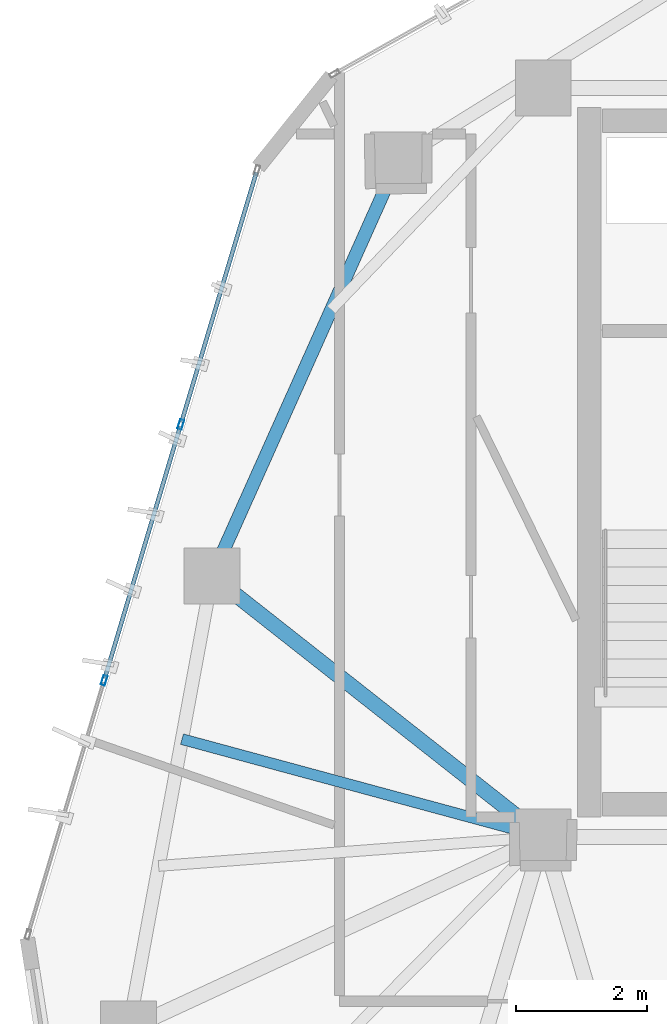
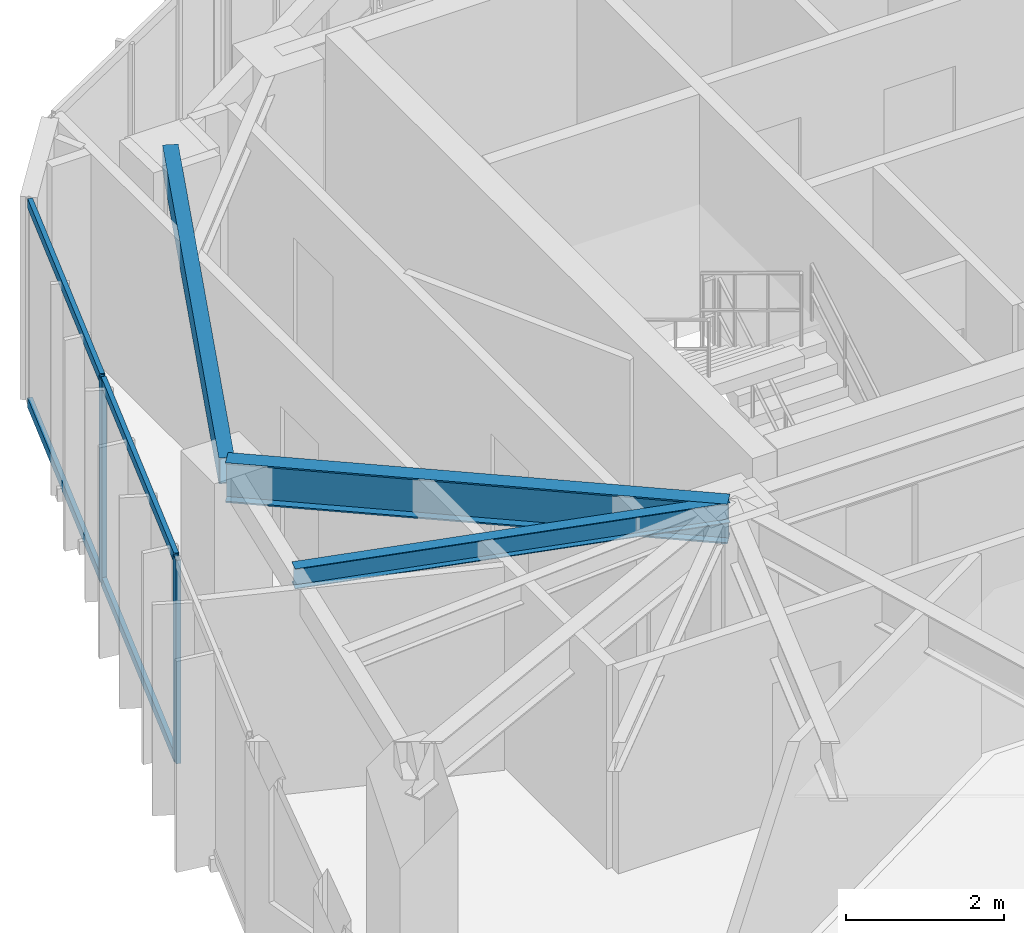
# One storey, part 8 of 20: 6 members, 3 beams, 1 element without a shape of its own.
"""IFC4 building model written with IfcOpenShell, lengths in metres."""

import ifcopenshell
import ifcopenshell.guid

model = None  # the IFC model being written
_history = None  # IfcOwnerHistory: only IFC2X3 demands one
_inside = {}  # id of a spatial element -> (the spatial element, [elements in it])
_under = {}  # id of a project, library or spatial element -> (it, [spatial elements below it])
_declared = {}  # id of a project -> (the project, [libraries it declares])
_typed = {}  # id of a type object -> (the type object, [elements of that type])
_made_of = {}  # id of a material, layer set ... -> (it, [elements and type objects made of it])


def new_model(schema):
    """Start an empty IFC model of exactly this schema.

    Asked for "IFC4X3", IfcOpenShell would pick the latest addendum, in which some entities
    have other attributes; the version numbers below select the first issue.
    IFC2X3 requires an IfcOwnerHistory on every rooted entity: one is made here for all.
    """
    global model, _history
    if schema == "IFC4X3":
        model = ifcopenshell.file(schema_version=(4, 3, 0, 0))
    else:
        model = ifcopenshell.file(schema=schema)
    _inside.clear()
    _under.clear()
    _declared.clear()
    _typed.clear()
    _made_of.clear()
    _history = None
    if model.schema == "IFC2X3":
        org = make("IfcOrganization", Name="unknown")
        user = make(
            "IfcPersonAndOrganization",
            ThePerson=make("IfcPerson", FamilyName="unknown"),
            TheOrganization=org,
        )
        app = make(
            "IfcApplication",
            ApplicationDeveloper=org,
            Version="unknown",
            ApplicationFullName="unknown",
            ApplicationIdentifier="unknown",
        )
        _history = make(
            "IfcOwnerHistory",
            OwningUser=user,
            OwningApplication=app,
            ChangeAction="ADDED",
            CreationDate=0,
        )
    return model


def make(cls, **values):
    """One entity of the class cls with the attributes given. An attribute that is None is left unset."""
    return model.create_entity(
        cls, **{name: value for name, value in values.items() if value is not None}
    )


def rooted(cls, **values):
    """An entity with a GlobalId (a new one), such as an element, a storey or a relation."""
    return make(cls, GlobalId=ifcopenshell.guid.new(), OwnerHistory=_history, **values)


def si_unit(unit_type, name, prefix=None):
    """IfcSIUnit, for example si_unit("LENGTHUNIT", "METRE", prefix="MILLI")."""
    return make("IfcSIUnit", UnitType=unit_type, Prefix=prefix, Name=name)


def assignment(units):
    """IfcUnitAssignment: the units of a project."""
    return None if units is None else make("IfcUnitAssignment", Units=units)


def point(xyz):
    """IfcCartesianPoint."""
    return None if xyz is None else make("IfcCartesianPoint", Coordinates=xyz)


def direction(xyz):
    """IfcDirection."""
    return None if xyz is None else make("IfcDirection", DirectionRatios=xyz)


def frame(location, z_axis=None, x_axis=None):
    """IfcAxis2Placement3D, a coordinate frame: its origin and axes. An axis left out is left unset."""
    return make(
        "IfcAxis2Placement3D",
        Location=point(location),
        Axis=direction(z_axis),
        RefDirection=direction(x_axis),
    )


def frame_2d(location, x_axis=None):
    """IfcAxis2Placement2D, a coordinate frame in the plane: its origin and x axis."""
    return make(
        "IfcAxis2Placement2D", Location=point(location), RefDirection=direction(x_axis)
    )


def origin():
    """The frame at (0, 0, 0) with its axes left unset."""
    return frame((0.0, 0.0, 0.0))


def origin_2d():
    """The frame at (0, 0) in the plane with its x axis left unset."""
    return frame_2d((0.0, 0.0))


def place(relative_to, where):
    """IfcLocalPlacement: puts the frame where relative to a parent placement (None: the world)."""
    return make(
        "IfcLocalPlacement", PlacementRelTo=relative_to, RelativePlacement=where
    )


def context(
    kind, dimensions, precision=None, world=None, true_north=None, identifier=None
):
    """IfcGeometricRepresentationContext, for example the 3D "Model" context."""
    return make(
        "IfcGeometricRepresentationContext",
        ContextIdentifier=identifier,
        ContextType=kind,
        CoordinateSpaceDimension=dimensions,
        Precision=precision,
        WorldCoordinateSystem=world,
        TrueNorth=true_north,
    )


def subcontext(parent, identifier, kind, view, scale=None):
    """IfcGeometricRepresentationSubContext, for example "Body" below "Model"."""
    return make(
        "IfcGeometricRepresentationSubContext",
        ContextIdentifier=identifier,
        ContextType=kind,
        ParentContext=parent,
        TargetScale=scale,
        TargetView=view,
    )


def project(units=None, contexts=None):
    """IfcProject with its units and contexts."""
    return rooted(
        "IfcProject",
        Name="project",
        RepresentationContexts=contexts,
        UnitsInContext=assignment(units),
    )


def spatial(cls, under=None, at=None, **own):
    """A site, building, storey or space (cls), placed at a placement, below another one or the project."""
    s = rooted(cls, ObjectPlacement=at, **own)
    if under is not None:
        _under.setdefault(under.id(), (under, []))[1].append(s)
    return s


def profile(cls, at=None, kind="AREA", **sizes):
    """A parametric profile (cls). Its sizes go by their IFC names, for example OverallWidth=200.0."""
    return make(cls, ProfileType=kind, Position=at, **sizes)


def hollow_rectangle(**sizes):
    """IfcRectangleHollowProfileDef."""
    return profile("IfcRectangleHollowProfileDef", **sizes)


def i_section(**sizes):
    """IfcIShapeProfileDef."""
    return profile("IfcIShapeProfileDef", **sizes)


def extrude(swept, where, along, depth):
    """IfcExtrudedAreaSolid: the profile swept, set in the frame where, extruded along a direction by depth."""
    return make(
        "IfcExtrudedAreaSolid",
        SweptArea=swept,
        Position=where,
        ExtrudedDirection=direction(along),
        Depth=depth,
    )


def shape(context_of_items, identifier, shape_type, items):
    """IfcShapeRepresentation: the items that make up one representation, for example the "Body"."""
    return make(
        "IfcShapeRepresentation",
        ContextOfItems=context_of_items,
        RepresentationIdentifier=identifier,
        RepresentationType=shape_type,
        Items=items,
    )


def source(mapping_origin, context_of_items, identifier, shape_type, items):
    """IfcRepresentationMap: a shape defined once, which mapped items show again and again."""
    return make(
        "IfcRepresentationMap",
        MappingOrigin=mapping_origin,
        MappedRepresentation=shape(context_of_items, identifier, shape_type, items),
    )


def transform(
    local_origin,
    x_axis=None,
    y_axis=None,
    z_axis=None,
    scale=None,
    scale2=None,
    scale3=None,
    uniform=True,
):
    """IfcCartesianTransformationOperator3D, or its non-uniform kind. x_axis, y_axis, z_axis: its Axis1, 2, 3."""
    if uniform:
        return make(
            "IfcCartesianTransformationOperator3D",
            Axis1=direction(x_axis),
            Axis2=direction(y_axis),
            LocalOrigin=point(local_origin),
            Scale=scale,
            Axis3=direction(z_axis),
        )
    return make(
        "IfcCartesianTransformationOperator3DnonUniform",
        Axis1=direction(x_axis),
        Axis2=direction(y_axis),
        LocalOrigin=point(local_origin),
        Scale=scale,
        Axis3=direction(z_axis),
        Scale2=scale2,
        Scale3=scale3,
    )


def mapped(mapping_source, mapping_target):
    """IfcMappedItem: shows the shape of a source again, moved by a transform."""
    return make(
        "IfcMappedItem", MappingSource=mapping_source, MappingTarget=mapping_target
    )


def material(Name=None, Category=None):
    """IfcMaterial."""
    return make("IfcMaterial", Name=Name, Category=Category)


def layer(
    of_material, thickness, ventilated=None, Name=None, Category=None, Priority=None
):
    """IfcMaterialLayer: one layer of a wall or slab, of a material (None: an air gap)."""
    return make(
        "IfcMaterialLayer",
        Material=of_material,
        LayerThickness=thickness,
        IsVentilated=ventilated,
        Name=Name,
        Category=Category,
        Priority=Priority,
    )


def layer_set(layers, Name=None):
    """IfcMaterialLayerSet."""
    return make("IfcMaterialLayerSet", MaterialLayers=layers, LayerSetName=Name)


def material_profile(
    of_material, cross_section, Name=None, Category=None, Priority=None
):
    """IfcMaterialProfile: a cross section and its material."""
    return make(
        "IfcMaterialProfile",
        Name=Name,
        Material=of_material,
        Profile=cross_section,
        Priority=Priority,
        Category=Category,
    )


def profile_set(profiles, Name=None, composite=None):
    """IfcMaterialProfileSet."""
    return make(
        "IfcMaterialProfileSet",
        Name=Name,
        MaterialProfiles=profiles,
        CompositeProfile=composite,
    )


def made_of(thing, what):
    """Note that an element or type object is made of a material, layer set ...; save() writes the relation."""
    if what is not None:
        _made_of.setdefault(what.id(), (what, []))[1].append(thing)
    return thing


def type_object(cls, material=None, **own):
    """A type object (cls), such as IfcWallType, which elements share."""
    return made_of(rooted(cls, **own), material)


def type_shapes(of_type, sources):
    """Give a type object the sources (RepresentationMaps) that its elements show as mapped items."""
    of_type.RepresentationMaps = sources


def element(
    cls,
    number,
    at=None,
    inside=None,
    cuts=None,
    type_object=None,
    material=None,
    context=None,
    identifier="Body",
    shape_type=None,
    held_by="IfcProductDefinitionShape",
    body=None,
    shapes=None,
    **own,
):
    """One element of the class cls, such as IfcWall. Its Tag is "e" and its number.

    at: its placement. inside: the storey or other place that contains it. cuts: it is an
    opening in that element (IfcRelVoidsElement). A single representation is given by context,
    identifier, shape_type and body (its items); several are given by shapes. held_by: the class
    of the entity that holds the representations. save() writes the other relations.
    """
    e = rooted(cls, Tag="e%d" % number, ObjectPlacement=at, **own)
    if body is not None:
        shapes = [shape(context, identifier, shape_type, body)]
    if shapes is not None:
        e.Representation = make(held_by, Representations=shapes)
    if inside is not None:
        _inside.setdefault(inside.id(), (inside, []))[1].append(e)
    if cuts is not None:
        rooted(
            "IfcRelVoidsElement", RelatingBuildingElement=cuts, RelatedOpeningElement=e
        )
    if type_object is not None:
        _typed.setdefault(type_object.id(), (type_object, []))[1].append(e)
    return made_of(e, material)


def aggregate(whole, parts):
    """IfcRelAggregates: a whole, such as a stair, and the parts it consists of."""
    return rooted("IfcRelAggregates", RelatingObject=whole, RelatedObjects=parts)


def save(model, path):
    """Write the relations noted so far, then the file.

    IfcRelAggregates (storeys below a building ...), IfcRelContainedInSpatialStructure (elements
    in a storey), IfcRelDefinesByType, IfcRelAssociatesMaterial and IfcRelDeclares: one each for
    every whole, place, type object, material and project.
    """
    for whole, parts in _under.values():
        aggregate(whole, parts)
    for where, things in _inside.values():
        rooted(
            "IfcRelContainedInSpatialStructure",
            RelatedElements=things,
            RelatingStructure=where,
        )
    for kind, things in _typed.values():
        rooted("IfcRelDefinesByType", RelatedObjects=things, RelatingType=kind)
    for what, things in _made_of.values():
        rooted("IfcRelAssociatesMaterial", RelatedObjects=things, RelatingMaterial=what)
    for by, libraries in _declared.values():
        rooted("IfcRelDeclares", RelatingContext=by, RelatedDefinitions=libraries)
    model.write(path)


model = new_model("IFC4")

# Units and contexts
model_context = context("Model", 3, precision=1e-05, world=origin(), true_north=direction((0.0, 1.0)))
body_context = subcontext(model_context, "Body", "Model", "MODEL_VIEW")
ifc_project = project(units=[si_unit("LENGTHUNIT", "METRE"), si_unit("AREAUNIT", "SQUARE_METRE"), si_unit("VOLUMEUNIT", "CUBIC_METRE"), si_unit("PLANEANGLEUNIT", "RADIAN"), si_unit("MASSUNIT", "GRAM", prefix="KILO")], contexts=[model_context])

# Site, building, storey
site_placement = place(None, origin())
site = spatial("IfcSite", under=ifc_project, at=site_placement, CompositionType="ELEMENT")
building_placement = place(site_placement, origin())
building = spatial("IfcBuilding", under=site, at=building_placement, Name="Talar Marvaseh", CompositionType="ELEMENT")
storey_placement = place(building_placement, frame((0.0, 0.0, 257.800048828125)))
storey = spatial("IfcBuildingStorey", under=building, at=storey_placement, Name="L68", CompositionType="ELEMENT", Elevation=257.800048828125)

# Beams
ifc_material_1 = material(Name="Steel S355", Category="steel")
ifc_material_profile_1 = material_profile(ifc_material_1, hollow_rectangle(XDim=0.199951171875, YDim=0.39990234375, WallThickness=0.013916015625, at=origin_2d()), Name="RHS400x200x14")
ifc_profile_set_1 = profile_set([ifc_material_profile_1], Name="Steel S355")
beam_type_1 = type_object("IfcBeamType", Name="Zone 3 Perimeter Spandrel Beam RHS400x200x14", PredefinedType="SPANDREL", material=ifc_profile_set_1)
beam_1_placement = place(storey_placement, frame((13.657958984375, 29.469970703125, 2.93994140625), z_axis=(0.408486346803, 0.912764429892, 0.0), x_axis=(-0.912764429892, 0.408486346803, 0.0)))
element("IfcBeam", 1, at=beam_1_placement, inside=storey, type_object=beam_type_1, Name="L68 Zone 3 Perimeter Spandrel Beam RHS400x200x14", PredefinedType="SPANDREL", context=body_context, shape_type="SweptSolid", body=[
    extrude(hollow_rectangle(XDim=0.199951171875, YDim=0.39990234375, WallThickness=0.013916015625, at=origin_2d()), origin(), (0.0, 0.0, 1.0), 6.942626953125),
])
ifc_material_profile_2 = material_profile(ifc_material_1, i_section(OverallWidth=0.166015625, OverallDepth=0.31298828125, WebThickness=0.006591796875, FlangeThickness=0.01123046875, at=origin_2d()), Name="W310x45")
ifc_profile_set_2 = profile_set([ifc_material_profile_2], Name="Steel S355")
beam_type_2 = type_object("IfcBeamType", Name="Zone 3 Secondary Floor Joist W310x45", PredefinedType="JOIST", material=ifc_profile_set_2)
beam_2_placement = place(storey_placement, frame((13.201171875, 26.988525390625, 2.9833984375), z_axis=(0.965258580671, -0.26129652206, 0.0), x_axis=(0.26129652206, 0.965258580671, 0.0)))
element("IfcBeam", 2, at=beam_2_placement, inside=storey, type_object=beam_type_2, Name="L68 Zone 3 Secondary Floor Joist W310x45", PredefinedType="JOIST", context=body_context, shape_type="SweptSolid", body=[
    extrude(i_section(OverallWidth=0.166015625, OverallDepth=0.31298828125, WebThickness=0.006591796875, FlangeThickness=0.01123046875, at=origin_2d()), origin(), (0.0, 0.0, 1.0), 5.69677734375),
])
ifc_material_profile_3 = material_profile(ifc_material_1, i_section(OverallWidth=0.22998046875, OverallDepth=0.616943359375, WebThickness=0.01318359375, FlangeThickness=0.022216796875, at=origin_2d()), Name="W610x140")
ifc_profile_set_3 = profile_set([ifc_material_profile_3], Name="Steel S355")
beam_type_3 = type_object("IfcBeamType", Name="Zone 4 Radial Floor Girder W610x140", PredefinedType="BEAM", material=ifc_profile_set_3)
beam_3_placement = place(storey_placement, frame((13.657958984375, 29.469970703125, 2.83154296875), z_axis=(0.785681617372, -0.618631066245, 0.0), x_axis=(0.618631066245, 0.785681617372, 0.0)))
element("IfcBeam", 3, at=beam_3_placement, inside=storey, type_object=beam_type_3, Name="L68 Zone 4 Radial Floor Girder W610x140", PredefinedType="BEAM", context=body_context, shape_type="SweptSolid", body=[
    extrude(i_section(OverallWidth=0.22998046875, OverallDepth=0.616943359375, WebThickness=0.01318359375, FlangeThickness=0.022216796875, at=origin_2d()), origin(), (0.0, 0.0, 1.0), 6.417236328125),
])

# Curtain wall, members
ifc_material_2 = material(Name="Architectural Aluminium", Category="aluminium")
ifc_layer = layer(ifc_material_2, 0.179931640625)
ifc_layer_set = layer_set([ifc_layer], Name="Architectural Aluminium")
curtain_wall_type = type_object("IfcCurtainWallType", Name="Unitised High-Wind Sky Curtain Wall Z4", PredefinedType="NOTDEFINED", material=ifc_layer_set)
curtain_wall_placement = place(storey_placement, origin())
curtain_wall = element("IfcCurtainWall", 4, at=curtain_wall_placement, inside=storey, type_object=curtain_wall_type, Name="L68 Unitised High-Wind Sky Curtain Wall Z4", PredefinedType="NOTDEFINED")
ifc_material_profile_4 = material_profile(ifc_material_2, hollow_rectangle(XDim=0.06494140625, YDim=0.14990234375, WallThickness=0.00390625, at=origin_2d()), Name="RHS150x65x4")
ifc_profile_set_4 = profile_set([ifc_material_profile_4], Name="Architectural Aluminium")
member_type_1 = type_object("IfcMemberType", Name="Unitised Curtain Wall Slim Mullion RHS150x65x4", PredefinedType="MULLION", material=ifc_profile_set_4)
shared_shape_1 = source(origin(), body_context, "Body", "SweptSolid", [
    extrude(hollow_rectangle(XDim=0.06494140625, YDim=0.14990234375, WallThickness=0.00390625, at=origin_2d()), origin(), (0.0, 0.0, 1.0), 3.139892578125),
])
type_shapes(member_type_1, [shared_shape_1])
member_1_placement = place(storey_placement, frame((12.016357421875, 27.8828125, 0.0), z_axis=(0.0, 0.0, 1.0), x_axis=(-0.957911702193, 0.287063008418, 0.0)))
member_1 = element("IfcMember", 5, at=member_1_placement, type_object=member_type_1, Name="CW-Z4 mullion 2", PredefinedType="MULLION", context=body_context, shape_type="MappedRepresentation", body=[
    mapped(shared_shape_1, transform((0.0, 0.0, 0.0), x_axis=(1.0, 0.0, 0.0), y_axis=(0.0, 1.0, 0.0), z_axis=(0.0, 0.0, 1.0), scale=1.0)),
])
member_2_placement = place(storey_placement, frame((13.184326171875, 31.7802734375, 0.0), z_axis=(0.0, 0.0, 1.0), x_axis=(-0.957911702193, 0.287063008418, 0.0)))
member_2 = element("IfcMember", 6, at=member_2_placement, type_object=member_type_1, Name="CW-Z4 mullion 3", PredefinedType="MULLION", context=body_context, shape_type="MappedRepresentation", body=[
    mapped(shared_shape_1, transform((0.0, 0.0, 0.0), x_axis=(1.0, 0.0, 0.0), y_axis=(0.0, 1.0, 0.0), z_axis=(0.0, 0.0, 1.0), scale=1.0)),
])
ifc_material_profile_5 = material_profile(ifc_material_2, hollow_rectangle(XDim=0.06494140625, YDim=0.14990234375, WallThickness=0.00390625, at=origin_2d()), Name="RHS150x65x4")
ifc_profile_set_5 = profile_set([ifc_material_profile_5], Name="Architectural Aluminium")
member_type_2 = type_object("IfcMemberType", Name="Unitised Curtain Wall Slim Transom RHS150x65x4", PredefinedType="USERDEFINED", material=ifc_profile_set_5)
shared_shape_2 = source(origin(), body_context, "Body", "SweptSolid", [
    extrude(hollow_rectangle(XDim=0.06494140625, YDim=0.14990234375, WallThickness=0.00390625, at=origin_2d()), origin(), (0.0, 0.0, 1.0), 3.97119140625),
])
member_3_placement = place(storey_placement, frame((13.19384765625, 31.811279296875, 0.032470703125), z_axis=(0.2870320293, 0.957920985341, 0.0), x_axis=(-0.957920985341, 0.2870320293, 0.0)))
member_3 = element("IfcMember", 7, at=member_3_placement, type_object=member_type_2, Name="CW-Z4 transom 3.1", ObjectType="TRANSOM", PredefinedType="USERDEFINED", context=body_context, shape_type="MappedRepresentation", body=[
    mapped(shared_shape_2, transform((0.0, 0.0, 0.0), x_axis=(1.0, 0.0, 0.0), y_axis=(0.0, 1.0, 0.0), z_axis=(0.0, 0.0, 1.0), scale=1.0)),
])
member_4_placement = place(storey_placement, frame((13.19384765625, 31.811279296875, 3.107421875), z_axis=(0.2870320293, 0.957920985341, 0.0), x_axis=(-0.957920985341, 0.2870320293, 0.0)))
member_4 = element("IfcMember", 8, at=member_4_placement, type_object=member_type_2, Name="CW-Z4 transom 3.2", ObjectType="TRANSOM", PredefinedType="USERDEFINED", context=body_context, shape_type="MappedRepresentation", body=[
    mapped(shared_shape_2, transform((0.0, 0.0, 0.0), x_axis=(1.0, 0.0, 0.0), y_axis=(0.0, 1.0, 0.0), z_axis=(0.0, 0.0, 1.0), scale=1.0)),
])
shared_shape_3 = source(origin(), body_context, "Body", "SweptSolid", [
    extrude(hollow_rectangle(XDim=0.06494140625, YDim=0.14990234375, WallThickness=0.00390625, at=origin_2d()), origin(), (0.0, 0.0, 1.0), 4.00341796875),
])
type_shapes(member_type_2, [shared_shape_2, shared_shape_3])
member_5_placement = place(storey_placement, frame((12.02587890625, 27.9140625, 0.032470703125), z_axis=(0.287045754948, 0.957916872472, 0.0), x_axis=(-0.957916872472, 0.287045754948, 0.0)))
member_5 = element("IfcMember", 9, at=member_5_placement, type_object=member_type_2, Name="CW-Z4 transom 2.1", ObjectType="TRANSOM", PredefinedType="USERDEFINED", context=body_context, shape_type="MappedRepresentation", body=[
    mapped(shared_shape_3, transform((0.0, 0.0, 0.0), x_axis=(1.0, 0.0, 0.0), y_axis=(0.0, 1.0, 0.0), z_axis=(0.0, 0.0, 1.0), scale=1.0)),
])
member_6_placement = place(storey_placement, frame((12.02587890625, 27.9140625, 3.107421875), z_axis=(0.287045754948, 0.957916872472, 0.0), x_axis=(-0.957916872472, 0.287045754948, 0.0)))
member_6 = element("IfcMember", 10, at=member_6_placement, type_object=member_type_2, Name="CW-Z4 transom 2.2", ObjectType="TRANSOM", PredefinedType="USERDEFINED", context=body_context, shape_type="MappedRepresentation", body=[
    mapped(shared_shape_3, transform((0.0, 0.0, 0.0), x_axis=(1.0, 0.0, 0.0), y_axis=(0.0, 1.0, 0.0), z_axis=(0.0, 0.0, 1.0), scale=1.0)),
])
aggregate(curtain_wall, [member_1, member_2, member_5, member_6, member_3, member_4])

save(model, "model.ifc")
